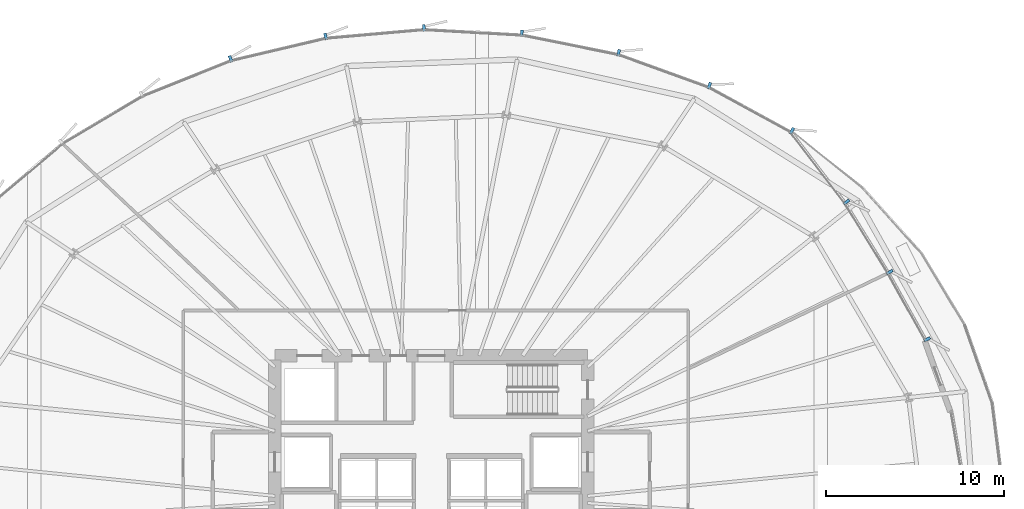
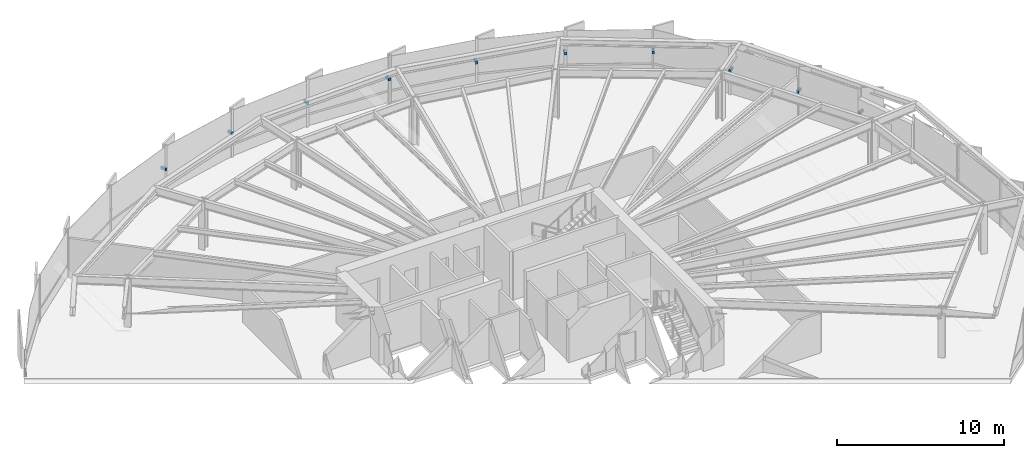
# One storey, part 33 of 39: 10 discrete accessories.
"""IFC4 building model written with IfcOpenShell, lengths in metres."""

from ifc_helpers import new_model, si_unit, direction, frame, origin, origin_2d, place, context, subcontext, project, spatial, rectangle, extrude, source, transform, mapped, material, type_object, element, save


model = new_model("IFC4")

# Units and contexts
model_context = context("Model", 3, precision=1e-05, world=origin(), true_north=direction((0.0, 1.0)))
body_context = subcontext(model_context, "Body", "Model", "MODEL_VIEW")
ifc_project = project(units=[si_unit("LENGTHUNIT", "METRE"), si_unit("AREAUNIT", "SQUARE_METRE"), si_unit("VOLUMEUNIT", "CUBIC_METRE"), si_unit("PLANEANGLEUNIT", "RADIAN"), si_unit("MASSUNIT", "GRAM", prefix="KILO"), si_unit("THERMODYNAMICTEMPERATUREUNIT", "KELVIN")], contexts=[model_context])

# Site, building, storey
site_placement = place(None, origin())
site = spatial("IfcSite", under=ifc_project, at=site_placement, CompositionType="ELEMENT")
building_placement = place(site_placement, origin())
building = spatial("IfcBuilding", under=site, at=building_placement, Name="Kethvar Cultural Tower", CompositionType="ELEMENT")
storey_placement = place(building_placement, frame((0.0, 0.0, 33.39990234375)))
storey = spatial("IfcBuildingStorey", under=building, at=storey_placement, Name="L07", CompositionType="ELEMENT", Elevation=33.39990234375)

# Discrete accessories
ifc_material = material(Name="Steel S355J2", Category="steel")
discrete_accessory_type = type_object("IfcDiscreteAccessoryType", Name="Steel Fin Bracket BRK-01", PredefinedType="BRACKET", material=ifc_material)
shared_shape = source(origin(), body_context, "Body", "SweptSolid", [
    extrude(rectangle(XDim=0.3798828125, YDim=0.159912109375, at=origin_2d()), origin(), (0.0, 0.0, 1.0), 0.179931640625),
])
for number, where, z_axis, x_axis, name in (
    (1, (74.71337890625, 36.418701171875, 1.68505859375), (0.0, 0.0, 1.0), (0.873517458663, 0.486792819803, 0.0), "L07 Terracotta Fin Bracket 2.1"),
    (2, (72.60498046875, 40.201416015625, 1.68505859375), (0.0, 0.0, 1.0), (0.851177750474, 0.524877544859, 0.0), "L07 Terracotta Fin Bracket 2.2"),
    (3, (70.171630859375, 44.1474609375, 1.68505859375), (0.0, 0.0, 1.0), (0.793884282702, 0.608068865901, 0.0), "L07 Terracotta Fin Bracket 2.3"),
    (4, (67.10107421875, 48.155517578125, 1.68505859375), (0.0, 0.0, 1.0), (0.479611016922, 0.87748120917, 0.0), "L07 Terracotta Fin Bracket 2.4"),
    (5, (62.451904296875, 50.697021484375, 1.68505859375), (0.0, 0.0, 1.0), (0.340051307008, 0.9404068846, 0.0), "L07 Terracotta Fin Bracket 2.5"),
    (6, (57.34521484375, 52.543212890625, 1.68505859375), (0.0, 0.0, 1.0), (0.198512712986, 0.980098312815, 0.0), "L07 Terracotta Fin Bracket 2.6"),
    (7, (51.89501953125, 53.640380859375, 1.68505859375), (0.0, 0.0, 1.0), (0.055821504993, 0.998440764182, 0.0), "L07 Terracotta Fin Bracket 3.1"),
    (8, (46.388671875, 53.947998046875, 1.68505859375), (0.0, 0.0, 1.0), (-0.087155742748, 0.996194698092, 0.0), "L07 Terracotta Fin Bracket 3.2"),
    (9, (40.856689453125, 53.463623046875, 1.68505859375), (0.0, 0.0, 1.0), (-0.22987988193, 0.973219009208, 0.0), "L07 Terracotta Fin Bracket 3.3"),
    (10, (35.50537109375, 52.19970703125, 1.68505859375), (0.0, 0.0, 1.0), (-0.371691915613, 0.928356138488, 0.0), "L07 Terracotta Fin Bracket 3.4"),
):
    element("IfcDiscreteAccessory", number, at=place(storey_placement, frame(where, z_axis=z_axis, x_axis=x_axis)), inside=storey, type_object=discrete_accessory_type, Name=name, PredefinedType="BRACKET", context=body_context, shape_type="MappedRepresentation", body=[
        mapped(shared_shape, transform((0.0, 0.0, 0.0), scale=1.0)),
    ])

save(model, "model.ifc")
